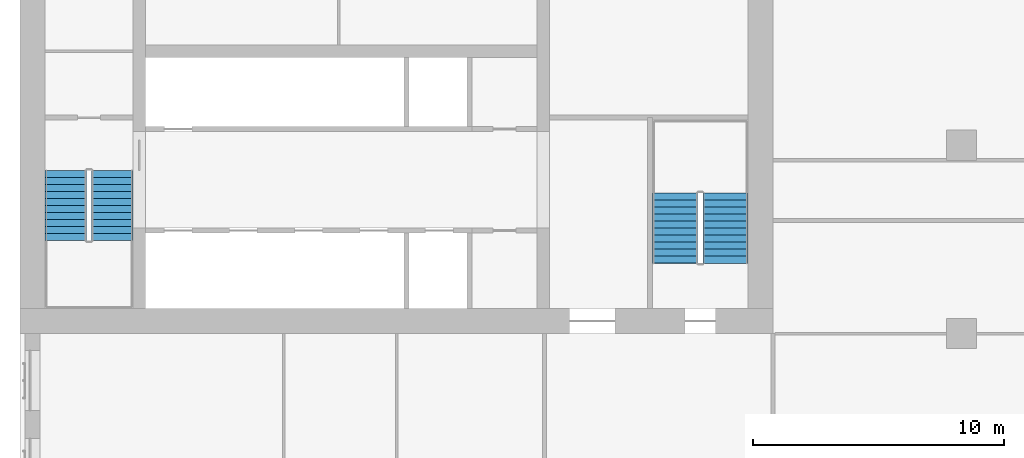
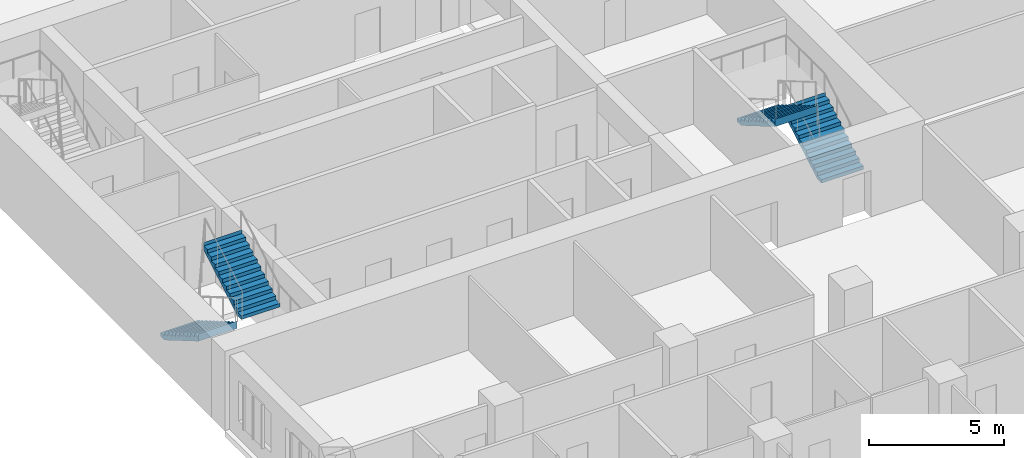
# One storey, part 12 of 14: 4 stair flights, 2 elements without a shape of their own.
"""IFC4 building model written with IfcOpenShell, lengths in metres."""

import ifcopenshell
import ifcopenshell.guid

model = None  # the IFC model being written
_history = None  # IfcOwnerHistory: only IFC2X3 demands one
_inside = {}  # id of a spatial element -> (the spatial element, [elements in it])
_under = {}  # id of a project, library or spatial element -> (it, [spatial elements below it])
_declared = {}  # id of a project -> (the project, [libraries it declares])
_typed = {}  # id of a type object -> (the type object, [elements of that type])
_made_of = {}  # id of a material, layer set ... -> (it, [elements and type objects made of it])


def new_model(schema):
    """Start an empty IFC model of exactly this schema.

    Asked for "IFC4X3", IfcOpenShell would pick the latest addendum, in which some entities
    have other attributes; the version numbers below select the first issue.
    IFC2X3 requires an IfcOwnerHistory on every rooted entity: one is made here for all.
    """
    global model, _history
    if schema == "IFC4X3":
        model = ifcopenshell.file(schema_version=(4, 3, 0, 0))
    else:
        model = ifcopenshell.file(schema=schema)
    _inside.clear()
    _under.clear()
    _declared.clear()
    _typed.clear()
    _made_of.clear()
    _history = None
    if model.schema == "IFC2X3":
        org = make("IfcOrganization", Name="unknown")
        user = make(
            "IfcPersonAndOrganization",
            ThePerson=make("IfcPerson", FamilyName="unknown"),
            TheOrganization=org,
        )
        app = make(
            "IfcApplication",
            ApplicationDeveloper=org,
            Version="unknown",
            ApplicationFullName="unknown",
            ApplicationIdentifier="unknown",
        )
        _history = make(
            "IfcOwnerHistory",
            OwningUser=user,
            OwningApplication=app,
            ChangeAction="ADDED",
            CreationDate=0,
        )
    return model


def make(cls, **values):
    """One entity of the class cls with the attributes given. An attribute that is None is left unset."""
    return model.create_entity(
        cls, **{name: value for name, value in values.items() if value is not None}
    )


def rooted(cls, **values):
    """An entity with a GlobalId (a new one), such as an element, a storey or a relation."""
    return make(cls, GlobalId=ifcopenshell.guid.new(), OwnerHistory=_history, **values)


def si_unit(unit_type, name, prefix=None):
    """IfcSIUnit, for example si_unit("LENGTHUNIT", "METRE", prefix="MILLI")."""
    return make("IfcSIUnit", UnitType=unit_type, Prefix=prefix, Name=name)


def assignment(units):
    """IfcUnitAssignment: the units of a project."""
    return None if units is None else make("IfcUnitAssignment", Units=units)


def point(xyz):
    """IfcCartesianPoint."""
    return None if xyz is None else make("IfcCartesianPoint", Coordinates=xyz)


def direction(xyz):
    """IfcDirection."""
    return None if xyz is None else make("IfcDirection", DirectionRatios=xyz)


def frame(location, z_axis=None, x_axis=None):
    """IfcAxis2Placement3D, a coordinate frame: its origin and axes. An axis left out is left unset."""
    return make(
        "IfcAxis2Placement3D",
        Location=point(location),
        Axis=direction(z_axis),
        RefDirection=direction(x_axis),
    )


def origin():
    """The frame at (0, 0, 0) with its axes left unset."""
    return frame((0.0, 0.0, 0.0))


def place(relative_to, where):
    """IfcLocalPlacement: puts the frame where relative to a parent placement (None: the world)."""
    return make(
        "IfcLocalPlacement", PlacementRelTo=relative_to, RelativePlacement=where
    )


def context(
    kind, dimensions, precision=None, world=None, true_north=None, identifier=None
):
    """IfcGeometricRepresentationContext, for example the 3D "Model" context."""
    return make(
        "IfcGeometricRepresentationContext",
        ContextIdentifier=identifier,
        ContextType=kind,
        CoordinateSpaceDimension=dimensions,
        Precision=precision,
        WorldCoordinateSystem=world,
        TrueNorth=true_north,
    )


def subcontext(parent, identifier, kind, view, scale=None):
    """IfcGeometricRepresentationSubContext, for example "Body" below "Model"."""
    return make(
        "IfcGeometricRepresentationSubContext",
        ContextIdentifier=identifier,
        ContextType=kind,
        ParentContext=parent,
        TargetScale=scale,
        TargetView=view,
    )


def project(units=None, contexts=None):
    """IfcProject with its units and contexts."""
    return rooted(
        "IfcProject",
        Name="project",
        RepresentationContexts=contexts,
        UnitsInContext=assignment(units),
    )


def spatial(cls, under=None, at=None, **own):
    """A site, building, storey or space (cls), placed at a placement, below another one or the project."""
    s = rooted(cls, ObjectPlacement=at, **own)
    if under is not None:
        _under.setdefault(under.id(), (under, []))[1].append(s)
    return s


def polyline(points):
    """IfcPolyline through the points."""
    return make("IfcPolyline", Points=[point(p) for p in points])


def outline(outer, holes=None, kind="AREA"):
    """IfcArbitraryClosedProfileDef: a profile drawn as a closed curve; with holes, ...WithVoids."""
    if holes is None:
        return make("IfcArbitraryClosedProfileDef", ProfileType=kind, OuterCurve=outer)
    return make(
        "IfcArbitraryProfileDefWithVoids",
        ProfileType=kind,
        OuterCurve=outer,
        InnerCurves=holes,
    )


def extrude(swept, where, along, depth):
    """IfcExtrudedAreaSolid: the profile swept, set in the frame where, extruded along a direction by depth."""
    return make(
        "IfcExtrudedAreaSolid",
        SweptArea=swept,
        Position=where,
        ExtrudedDirection=direction(along),
        Depth=depth,
    )


def shape(context_of_items, identifier, shape_type, items):
    """IfcShapeRepresentation: the items that make up one representation, for example the "Body"."""
    return make(
        "IfcShapeRepresentation",
        ContextOfItems=context_of_items,
        RepresentationIdentifier=identifier,
        RepresentationType=shape_type,
        Items=items,
    )


def material(Name=None, Category=None):
    """IfcMaterial."""
    return make("IfcMaterial", Name=Name, Category=Category)


def made_of(thing, what):
    """Note that an element or type object is made of a material, layer set ...; save() writes the relation."""
    if what is not None:
        _made_of.setdefault(what.id(), (what, []))[1].append(thing)
    return thing


def type_object(cls, material=None, **own):
    """A type object (cls), such as IfcWallType, which elements share."""
    return made_of(rooted(cls, **own), material)


def element(
    cls,
    number,
    at=None,
    inside=None,
    cuts=None,
    type_object=None,
    material=None,
    context=None,
    identifier="Body",
    shape_type=None,
    held_by="IfcProductDefinitionShape",
    body=None,
    shapes=None,
    **own,
):
    """One element of the class cls, such as IfcWall. Its Tag is "e" and its number.

    at: its placement. inside: the storey or other place that contains it. cuts: it is an
    opening in that element (IfcRelVoidsElement). A single representation is given by context,
    identifier, shape_type and body (its items); several are given by shapes. held_by: the class
    of the entity that holds the representations. save() writes the other relations.
    """
    e = rooted(cls, Tag="e%d" % number, ObjectPlacement=at, **own)
    if body is not None:
        shapes = [shape(context, identifier, shape_type, body)]
    if shapes is not None:
        e.Representation = make(held_by, Representations=shapes)
    if inside is not None:
        _inside.setdefault(inside.id(), (inside, []))[1].append(e)
    if cuts is not None:
        rooted(
            "IfcRelVoidsElement", RelatingBuildingElement=cuts, RelatedOpeningElement=e
        )
    if type_object is not None:
        _typed.setdefault(type_object.id(), (type_object, []))[1].append(e)
    return made_of(e, material)


def aggregate(whole, parts):
    """IfcRelAggregates: a whole, such as a stair, and the parts it consists of."""
    return rooted("IfcRelAggregates", RelatingObject=whole, RelatedObjects=parts)


def save(model, path):
    """Write the relations noted so far, then the file.

    IfcRelAggregates (storeys below a building ...), IfcRelContainedInSpatialStructure (elements
    in a storey), IfcRelDefinesByType, IfcRelAssociatesMaterial and IfcRelDeclares: one each for
    every whole, place, type object, material and project.
    """
    for whole, parts in _under.values():
        aggregate(whole, parts)
    for where, things in _inside.values():
        rooted(
            "IfcRelContainedInSpatialStructure",
            RelatedElements=things,
            RelatingStructure=where,
        )
    for kind, things in _typed.values():
        rooted("IfcRelDefinesByType", RelatedObjects=things, RelatingType=kind)
    for what, things in _made_of.values():
        rooted("IfcRelAssociatesMaterial", RelatedObjects=things, RelatingMaterial=what)
    for by, libraries in _declared.values():
        rooted("IfcRelDeclares", RelatingContext=by, RelatedDefinitions=libraries)
    model.write(path)


model = new_model("IFC4")

# Units and contexts
model_context = context("Model", 3, precision=1e-05, world=origin(), true_north=direction((0.0, 1.0)))
body_context = subcontext(model_context, "Body", "Model", "MODEL_VIEW")
ifc_project = project(units=[si_unit("LENGTHUNIT", "METRE"), si_unit("AREAUNIT", "SQUARE_METRE"), si_unit("VOLUMEUNIT", "CUBIC_METRE"), si_unit("PLANEANGLEUNIT", "RADIAN"), si_unit("MASSUNIT", "GRAM", prefix="KILO")], contexts=[model_context])

# Site, building, storey
site_placement = place(None, origin())
site = spatial("IfcSite", under=ifc_project, at=site_placement, CompositionType="ELEMENT")
building_placement = place(site_placement, origin())
building = spatial("IfcBuilding", under=site, at=building_placement, Name="Tamorin Gate", CompositionType="ELEMENT")
storey_placement = place(building_placement, frame((0.0, 0.0, 41.199951171875)))
storey = spatial("IfcBuildingStorey", under=building, at=storey_placement, Name="L08", CompositionType="ELEMENT", Elevation=41.199951171875)

# Stair, stair flights
ifc_material = material(Name="Concrete C40/50", Category="concrete")
stair_type = type_object("IfcStairType", Name="Exit stair", PredefinedType="HALF_TURN_STAIR", material=ifc_material)
stair_1_placement = place(storey_placement, origin())
stair_1 = element("IfcStair", 1, at=stair_1_placement, inside=storey, type_object=stair_type, Name="L08 stair ST1", PredefinedType="HALF_TURN_STAIR")
stair_flight_type = type_object("IfcStairFlightType", Name="Exit stair flight", PredefinedType="STRAIGHT", material=ifc_material)
stair_flight_1_placement = place(storey_placement, frame((31.824951171875, 66.5, 0.0), z_axis=(0.0, 0.0, 1.0), x_axis=(0.0, -1.0, 0.0)))
stair_flight_1 = element("IfcStairFlight", 2, at=stair_flight_1_placement, type_object=stair_flight_type, Name="ST1 flight 1", NumberOfRisers=11, NumberOfTreads=10, PredefinedType="STRAIGHT", RiserHeight=0.163636364, TreadLength=0.28, context=body_context, shape_type="SweptSolid", body=[
    extrude(outline(polyline([(-0.00048828125, 0.0), (-0.00048828125, 0.001708984375), (-0.00048828125, 0.003173828125), (-0.00048828125, 0.0048828125), (-0.00048828125, 0.006591796875), (-0.00048828125, 0.008056640625), (-0.00048828125, 0.009765625), (-0.00048828125, 0.01123046875), (-0.00048828125, 0.012939453125), (-0.00048828125, 0.0146484375), (-0.00048828125, 0.01611328125), (-0.00048828125, 0.017822265625), (-0.00048828125, 0.01953125), (-0.00048828125, 0.02099609375), (-0.00048828125, 0.022705078125), (-0.00048828125, 0.0244140625), (-0.00048828125, 0.02587890625), (-0.00048828125, 0.027587890625), (-0.00048828125, 0.029052734375), (-0.00048828125, 0.03076171875), (-0.00048828125, 0.032470703125), (-0.00048828125, 0.033935546875), (-0.00048828125, 0.03564453125), (-0.00048828125, 0.037353515625), (-0.00048828125, 0.038818359375), (-0.00048828125, 0.04052734375), (-0.00048828125, 0.042236328125), (-0.00048828125, 0.043701171875), (-0.00048828125, 0.04541015625), (-0.00048828125, 0.046875), (-0.00048828125, 0.048583984375), (-0.00048828125, 0.05029296875), (-0.00048828125, 0.0517578125), (-0.00048828125, 0.053466796875), (-0.00048828125, 0.05517578125), (-0.00048828125, 0.056640625), (-0.00048828125, 0.058349609375), (-0.00048828125, 0.06005859375), (-0.00048828125, 0.0615234375), (-0.00048828125, 0.063232421875), (-0.00048828125, 0.064697265625), (-0.00048828125, 0.06640625), (-0.00048828125, 0.068115234375), (-0.00048828125, 0.069580078125), (-0.00048828125, 0.0712890625), (-0.00048828125, 0.072998046875), (-0.00048828125, 0.074462890625), (-0.00048828125, 0.076171875), (-0.00048828125, 0.077880859375), (-0.00048828125, 0.079345703125), (-0.00048828125, 0.0810546875), (-0.00048828125, 0.08251953125), (-0.00048828125, 0.084228515625), (-0.00048828125, 0.0859375), (-0.00048828125, 0.08740234375), (-0.00048828125, 0.089111328125), (-0.00048828125, 0.0908203125), (-0.00048828125, 0.09228515625), (-0.00048828125, 0.093994140625), (-0.00048828125, 0.095703125), (-0.00048828125, 0.09716796875), (-0.00048828125, 0.098876953125), (-0.00048828125, 0.100341796875), (-0.00048828125, 0.10205078125), (-0.00048828125, 0.103759765625), (-0.00048828125, 0.105224609375), (-0.00048828125, 0.10693359375), (-0.00048828125, 0.108642578125), (-0.00048828125, 0.110107421875), (-0.00048828125, 0.11181640625), (-0.00048828125, 0.113525390625), (-0.00048828125, 0.114990234375), (-0.00048828125, 0.11669921875), (-0.00048828125, 0.1181640625), (-0.00048828125, 0.119873046875), (-0.00048828125, 0.12158203125), (-0.00048828125, 0.123046875), (-0.00048828125, 0.124755859375), (-0.00048828125, 0.12646484375), (-0.00048828125, 0.1279296875), (-0.00048828125, 0.129638671875), (-0.00048828125, 0.13134765625), (-0.00048828125, 0.1328125), (-0.00048828125, 0.134521484375), (-0.00048828125, 0.135986328125), (-0.00048828125, 0.1376953125), (-0.00048828125, 0.139404296875), (-0.00048828125, 0.140869140625), (-0.00048828125, 0.142578125), (-0.00048828125, 0.144287109375), (-0.00048828125, 0.145751953125), (-0.00048828125, 0.1474609375), (-0.00048828125, 0.149169921875), (-0.00048828125, 0.150634765625), (-0.00048828125, 0.15234375), (-0.00048828125, 0.15380859375), (-0.00048828125, 0.155517578125), (-0.00048828125, 0.1572265625), (-0.00048828125, 0.15869140625), (-0.00048828125, 0.160400390625), (-0.00048828125, 0.162109375), (-0.00048828125, 0.16357421875), (0.280029296875, 0.16357421875), (0.280029296875, 0.327392578125), (0.56005859375, 0.327392578125), (0.56005859375, 0.490966796875), (0.840087890625, 0.490966796875), (0.840087890625, 0.654541015625), (1.1201171875, 0.654541015625), (1.1201171875, 0.818115234375), (1.39990234375, 0.818115234375), (1.39990234375, 0.98193359375), (1.679931640625, 0.98193359375), (1.679931640625, 1.1455078125), (1.9599609375, 1.1455078125), (1.9599609375, 1.30908203125), (2.239990234375, 1.30908203125), (2.239990234375, 1.47265625), (2.52001953125, 1.47265625), (2.52001953125, 1.636474609375), (2.800048828125, 1.636474609375), (2.800048828125, 1.800048828125), (2.800537109375, 1.800048828125), (2.800537109375, 1.796630859375), (2.800537109375, 1.793212890625), (2.800537109375, 1.7900390625), (2.800537109375, 1.78662109375), (2.800537109375, 1.783203125), (2.800537109375, 1.780029296875), (2.800537109375, 1.776611328125), (2.800537109375, 1.773193359375), (2.800537109375, 1.77001953125), (2.800537109375, 1.7666015625), (2.800537109375, 1.76318359375), (2.800537109375, 1.760009765625), (2.800537109375, 1.756591796875), (2.800537109375, 1.753173828125), (2.800537109375, 1.75), (2.800537109375, 1.74658203125), (2.800537109375, 1.7431640625), (2.800537109375, 1.739990234375), (2.800537109375, 1.736572265625), (2.800537109375, 1.733154296875), (2.800537109375, 1.72998046875), (2.800537109375, 1.7265625), (2.800537109375, 1.72314453125), (2.800537109375, 1.719970703125), (2.800537109375, 1.716552734375), (2.800537109375, 1.713134765625), (2.800537109375, 1.7099609375), (2.800537109375, 1.70654296875), (2.800537109375, 1.703125), (2.800537109375, 1.69970703125), (2.800537109375, 1.696533203125), (2.800537109375, 1.693115234375), (2.800537109375, 1.689697265625), (2.800537109375, 1.6865234375), (2.800537109375, 1.68310546875), (2.800537109375, 1.6796875), (2.800537109375, 1.676513671875), (2.800537109375, 1.673095703125), (2.800537109375, 1.669677734375), (2.800537109375, 1.66650390625), (2.800537109375, 1.6630859375), (2.800537109375, 1.65966796875), (2.800537109375, 1.656494140625), (2.800537109375, 1.653076171875), (2.800537109375, 1.649658203125), (2.800537109375, 1.646484375), (2.800537109375, 1.64306640625), (2.800537109375, 1.6396484375), (2.800537109375, 1.636474609375), (2.800537109375, 1.633056640625), (2.800537109375, 1.629638671875), (2.800537109375, 1.62646484375), (2.800537109375, 1.623046875), (2.800537109375, 1.61962890625), (2.800537109375, 1.616455078125), (2.800537109375, 1.613037109375), (2.800537109375, 1.609619140625), (2.800537109375, 1.6064453125), (2.800537109375, 1.60302734375), (2.800537109375, 1.599609375), (2.800537109375, 1.59619140625), (2.800537109375, 1.593017578125), (2.800537109375, 1.589599609375), (2.800537109375, 1.586181640625), (2.800537109375, 1.5830078125), (2.800537109375, 1.57958984375), (2.800537109375, 1.576171875), (2.800537109375, 1.572998046875), (2.800537109375, 1.569580078125), (2.800537109375, 1.566162109375), (2.800537109375, 1.56298828125), (2.800537109375, 1.5595703125), (2.800537109375, 1.55615234375), (2.800537109375, 1.552978515625), (2.800537109375, 1.549560546875), (2.800537109375, 1.546142578125), (2.800537109375, 1.54296875), (2.800537109375, 1.53955078125), (2.800537109375, 1.5361328125), (2.800537109375, 1.532958984375), (2.800537109375, 1.529541015625), (2.800537109375, 1.526123046875), (2.800537109375, 1.52294921875), (2.800537109375, 1.51953125), (2.800537109375, 1.51611328125), (2.800537109375, 1.512939453125), (2.800537109375, 1.509521484375), (2.800537109375, 1.506103515625), (2.800537109375, 1.5029296875), (2.800537109375, 1.49951171875), (2.800537109375, 1.49609375), (2.800537109375, 1.49267578125), (2.800537109375, 1.489501953125), (2.800537109375, 1.486083984375), (2.800537109375, 1.482666015625), (2.800537109375, 1.4794921875), (2.800537109375, 1.47607421875), (2.800537109375, 1.47265625), (2.800537109375, 1.469482421875), (2.800537109375, 1.466064453125), (2.800537109375, 1.462646484375), (2.800048828125, 1.462646484375), (0.297119140625, 0.0), (-0.00048828125, 0.0)])), frame((0.0, 0.824951171875, 0.0), z_axis=(0.0, -1.0, 0.0), x_axis=(1.0, 0.0, 0.0)), (0.0, 0.0, 1.0), 1.64990234375),
])
stair_flight_2_placement = place(storey_placement, frame((33.675048828125, 63.699951171875, 1.800048828125), z_axis=(0.0, 0.0, 1.0), x_axis=(0.0, 1.0, 0.0)))
stair_flight_2 = element("IfcStairFlight", 3, at=stair_flight_2_placement, type_object=stair_flight_type, Name="ST1 flight 2", NumberOfRisers=11, NumberOfTreads=10, PredefinedType="STRAIGHT", RiserHeight=0.163636364, TreadLength=0.28, context=body_context, shape_type="SweptSolid", body=[
    extrude(outline(polyline([(-0.00048828125, 0.0), (-0.00048828125, 0.001708984375), (-0.00048828125, 0.003173828125), (-0.00048828125, 0.0048828125), (-0.00048828125, 0.006591796875), (-0.00048828125, 0.008056640625), (-0.00048828125, 0.009765625), (-0.00048828125, 0.01123046875), (-0.00048828125, 0.012939453125), (-0.00048828125, 0.0146484375), (-0.00048828125, 0.01611328125), (-0.00048828125, 0.017822265625), (-0.00048828125, 0.01953125), (-0.00048828125, 0.02099609375), (-0.00048828125, 0.022705078125), (-0.00048828125, 0.0244140625), (-0.00048828125, 0.02587890625), (-0.00048828125, 0.027587890625), (-0.00048828125, 0.029052734375), (-0.00048828125, 0.03076171875), (-0.00048828125, 0.032470703125), (-0.00048828125, 0.033935546875), (-0.00048828125, 0.03564453125), (-0.00048828125, 0.037353515625), (-0.00048828125, 0.038818359375), (-0.00048828125, 0.04052734375), (-0.00048828125, 0.042236328125), (-0.00048828125, 0.043701171875), (-0.00048828125, 0.04541015625), (-0.00048828125, 0.046875), (-0.00048828125, 0.048583984375), (-0.00048828125, 0.05029296875), (-0.00048828125, 0.0517578125), (-0.00048828125, 0.053466796875), (-0.00048828125, 0.05517578125), (-0.00048828125, 0.056640625), (-0.00048828125, 0.058349609375), (-0.00048828125, 0.06005859375), (-0.00048828125, 0.0615234375), (-0.00048828125, 0.063232421875), (-0.00048828125, 0.064697265625), (-0.00048828125, 0.06640625), (-0.00048828125, 0.068115234375), (-0.00048828125, 0.069580078125), (-0.00048828125, 0.0712890625), (-0.00048828125, 0.072998046875), (-0.00048828125, 0.074462890625), (-0.00048828125, 0.076171875), (-0.00048828125, 0.077880859375), (-0.00048828125, 0.079345703125), (-0.00048828125, 0.0810546875), (-0.00048828125, 0.08251953125), (-0.00048828125, 0.084228515625), (-0.00048828125, 0.0859375), (-0.00048828125, 0.08740234375), (-0.00048828125, 0.089111328125), (-0.00048828125, 0.0908203125), (-0.00048828125, 0.09228515625), (-0.00048828125, 0.093994140625), (-0.00048828125, 0.095703125), (-0.00048828125, 0.09716796875), (-0.00048828125, 0.098876953125), (-0.00048828125, 0.100341796875), (-0.00048828125, 0.10205078125), (-0.00048828125, 0.103759765625), (-0.00048828125, 0.105224609375), (-0.00048828125, 0.10693359375), (-0.00048828125, 0.108642578125), (-0.00048828125, 0.110107421875), (-0.00048828125, 0.11181640625), (-0.00048828125, 0.113525390625), (-0.00048828125, 0.114990234375), (-0.00048828125, 0.11669921875), (-0.00048828125, 0.1181640625), (-0.00048828125, 0.119873046875), (-0.00048828125, 0.12158203125), (-0.00048828125, 0.123046875), (-0.00048828125, 0.124755859375), (-0.00048828125, 0.12646484375), (-0.00048828125, 0.1279296875), (-0.00048828125, 0.129638671875), (-0.00048828125, 0.13134765625), (-0.00048828125, 0.1328125), (-0.00048828125, 0.134521484375), (-0.00048828125, 0.135986328125), (-0.00048828125, 0.1376953125), (-0.00048828125, 0.139404296875), (-0.00048828125, 0.140869140625), (-0.00048828125, 0.142578125), (-0.00048828125, 0.144287109375), (-0.00048828125, 0.145751953125), (-0.00048828125, 0.1474609375), (-0.00048828125, 0.149169921875), (-0.00048828125, 0.150634765625), (-0.00048828125, 0.15234375), (-0.00048828125, 0.15380859375), (-0.00048828125, 0.155517578125), (-0.00048828125, 0.1572265625), (-0.00048828125, 0.15869140625), (-0.00048828125, 0.160400390625), (-0.00048828125, 0.162109375), (-0.00048828125, 0.16357421875), (0.280029296875, 0.16357421875), (0.280029296875, 0.327392578125), (0.56005859375, 0.327392578125), (0.56005859375, 0.490966796875), (0.840087890625, 0.490966796875), (0.840087890625, 0.654541015625), (1.1201171875, 0.654541015625), (1.1201171875, 0.818115234375), (1.39990234375, 0.818115234375), (1.39990234375, 0.98193359375), (1.679931640625, 0.98193359375), (1.679931640625, 1.1455078125), (1.9599609375, 1.1455078125), (1.9599609375, 1.30908203125), (2.239990234375, 1.30908203125), (2.239990234375, 1.47265625), (2.52001953125, 1.47265625), (2.52001953125, 1.636474609375), (2.800048828125, 1.636474609375), (2.800048828125, 1.800048828125), (2.800537109375, 1.800048828125), (2.800537109375, 1.796630859375), (2.800537109375, 1.793212890625), (2.800537109375, 1.7900390625), (2.800537109375, 1.78662109375), (2.800537109375, 1.783203125), (2.800537109375, 1.780029296875), (2.800537109375, 1.776611328125), (2.800537109375, 1.773193359375), (2.800537109375, 1.77001953125), (2.800537109375, 1.7666015625), (2.800537109375, 1.76318359375), (2.800537109375, 1.760009765625), (2.800537109375, 1.756591796875), (2.800537109375, 1.753173828125), (2.800537109375, 1.75), (2.800537109375, 1.74658203125), (2.800537109375, 1.7431640625), (2.800537109375, 1.739990234375), (2.800537109375, 1.736572265625), (2.800537109375, 1.733154296875), (2.800537109375, 1.72998046875), (2.800537109375, 1.7265625), (2.800537109375, 1.72314453125), (2.800537109375, 1.719970703125), (2.800537109375, 1.716552734375), (2.800537109375, 1.713134765625), (2.800537109375, 1.7099609375), (2.800537109375, 1.70654296875), (2.800537109375, 1.703125), (2.800537109375, 1.69970703125), (2.800537109375, 1.696533203125), (2.800537109375, 1.693115234375), (2.800537109375, 1.689697265625), (2.800537109375, 1.6865234375), (2.800537109375, 1.68310546875), (2.800537109375, 1.6796875), (2.800537109375, 1.676513671875), (2.800537109375, 1.673095703125), (2.800537109375, 1.669677734375), (2.800537109375, 1.66650390625), (2.800537109375, 1.6630859375), (2.800537109375, 1.65966796875), (2.800537109375, 1.656494140625), (2.800537109375, 1.653076171875), (2.800537109375, 1.649658203125), (2.800537109375, 1.646484375), (2.800537109375, 1.64306640625), (2.800537109375, 1.6396484375), (2.800537109375, 1.636474609375), (2.800537109375, 1.633056640625), (2.800537109375, 1.629638671875), (2.800537109375, 1.62646484375), (2.800537109375, 1.623046875), (2.800537109375, 1.61962890625), (2.800537109375, 1.616455078125), (2.800537109375, 1.613037109375), (2.800537109375, 1.609619140625), (2.800537109375, 1.6064453125), (2.800537109375, 1.60302734375), (2.800537109375, 1.599609375), (2.800537109375, 1.59619140625), (2.800537109375, 1.593017578125), (2.800537109375, 1.589599609375), (2.800537109375, 1.586181640625), (2.800537109375, 1.5830078125), (2.800537109375, 1.57958984375), (2.800537109375, 1.576171875), (2.800537109375, 1.572998046875), (2.800537109375, 1.569580078125), (2.800537109375, 1.566162109375), (2.800537109375, 1.56298828125), (2.800537109375, 1.5595703125), (2.800537109375, 1.55615234375), (2.800537109375, 1.552978515625), (2.800537109375, 1.549560546875), (2.800537109375, 1.546142578125), (2.800537109375, 1.54296875), (2.800537109375, 1.53955078125), (2.800537109375, 1.5361328125), (2.800537109375, 1.532958984375), (2.800537109375, 1.529541015625), (2.800537109375, 1.526123046875), (2.800537109375, 1.52294921875), (2.800537109375, 1.51953125), (2.800537109375, 1.51611328125), (2.800537109375, 1.512939453125), (2.800537109375, 1.509521484375), (2.800537109375, 1.506103515625), (2.800537109375, 1.5029296875), (2.800537109375, 1.49951171875), (2.800537109375, 1.49609375), (2.800537109375, 1.49267578125), (2.800537109375, 1.489501953125), (2.800537109375, 1.486083984375), (2.800537109375, 1.482666015625), (2.800537109375, 1.4794921875), (2.800537109375, 1.47607421875), (2.800537109375, 1.47265625), (2.800537109375, 1.469482421875), (2.800537109375, 1.466064453125), (2.800537109375, 1.462646484375), (2.800048828125, 1.462646484375), (0.297119140625, 0.0), (-0.00048828125, 0.0)])), frame((0.0, 0.824951171875, 0.0), z_axis=(0.0, -1.0, 0.0), x_axis=(1.0, 0.0, 0.0)), (0.0, 0.0, 1.0), 1.64990234375),
])
aggregate(stair_1, [stair_flight_1, stair_flight_2])

stair_2_placement = place(storey_placement, origin())
stair_2 = element("IfcStair", 4, at=stair_2_placement, inside=storey, type_object=stair_type, Name="L08 stair ST3", PredefinedType="HALF_TURN_STAIR")
stair_flight_3_placement = place(storey_placement, frame((58.10009765625, 62.800048828125, 0.0), z_axis=(0.0, 0.0, 1.0), x_axis=(0.0, 1.0, 0.0)))
stair_flight_3 = element("IfcStairFlight", 5, at=stair_flight_3_placement, type_object=stair_flight_type, Name="ST3 flight 1", NumberOfRisers=11, NumberOfTreads=10, PredefinedType="STRAIGHT", RiserHeight=0.163636364, TreadLength=0.28, context=body_context, shape_type="SweptSolid", body=[
    extrude(outline(polyline([(-0.00048828125, 0.0), (-0.00048828125, 0.001708984375), (-0.00048828125, 0.003173828125), (-0.00048828125, 0.0048828125), (-0.00048828125, 0.006591796875), (-0.00048828125, 0.008056640625), (-0.00048828125, 0.009765625), (-0.00048828125, 0.01123046875), (-0.00048828125, 0.012939453125), (-0.00048828125, 0.0146484375), (-0.00048828125, 0.01611328125), (-0.00048828125, 0.017822265625), (-0.00048828125, 0.01953125), (-0.00048828125, 0.02099609375), (-0.00048828125, 0.022705078125), (-0.00048828125, 0.0244140625), (-0.00048828125, 0.02587890625), (-0.00048828125, 0.027587890625), (-0.00048828125, 0.029052734375), (-0.00048828125, 0.03076171875), (-0.00048828125, 0.032470703125), (-0.00048828125, 0.033935546875), (-0.00048828125, 0.03564453125), (-0.00048828125, 0.037353515625), (-0.00048828125, 0.038818359375), (-0.00048828125, 0.04052734375), (-0.00048828125, 0.042236328125), (-0.00048828125, 0.043701171875), (-0.00048828125, 0.04541015625), (-0.00048828125, 0.046875), (-0.00048828125, 0.048583984375), (-0.00048828125, 0.05029296875), (-0.00048828125, 0.0517578125), (-0.00048828125, 0.053466796875), (-0.00048828125, 0.05517578125), (-0.00048828125, 0.056640625), (-0.00048828125, 0.058349609375), (-0.00048828125, 0.06005859375), (-0.00048828125, 0.0615234375), (-0.00048828125, 0.063232421875), (-0.00048828125, 0.064697265625), (-0.00048828125, 0.06640625), (-0.00048828125, 0.068115234375), (-0.00048828125, 0.069580078125), (-0.00048828125, 0.0712890625), (-0.00048828125, 0.072998046875), (-0.00048828125, 0.074462890625), (-0.00048828125, 0.076171875), (-0.00048828125, 0.077880859375), (-0.00048828125, 0.079345703125), (-0.00048828125, 0.0810546875), (-0.00048828125, 0.08251953125), (-0.00048828125, 0.084228515625), (-0.00048828125, 0.0859375), (-0.00048828125, 0.08740234375), (-0.00048828125, 0.089111328125), (-0.00048828125, 0.0908203125), (-0.00048828125, 0.09228515625), (-0.00048828125, 0.093994140625), (-0.00048828125, 0.095703125), (-0.00048828125, 0.09716796875), (-0.00048828125, 0.098876953125), (-0.00048828125, 0.100341796875), (-0.00048828125, 0.10205078125), (-0.00048828125, 0.103759765625), (-0.00048828125, 0.105224609375), (-0.00048828125, 0.10693359375), (-0.00048828125, 0.108642578125), (-0.00048828125, 0.110107421875), (-0.00048828125, 0.11181640625), (-0.00048828125, 0.113525390625), (-0.00048828125, 0.114990234375), (-0.00048828125, 0.11669921875), (-0.00048828125, 0.1181640625), (-0.00048828125, 0.119873046875), (-0.00048828125, 0.12158203125), (-0.00048828125, 0.123046875), (-0.00048828125, 0.124755859375), (-0.00048828125, 0.12646484375), (-0.00048828125, 0.1279296875), (-0.00048828125, 0.129638671875), (-0.00048828125, 0.13134765625), (-0.00048828125, 0.1328125), (-0.00048828125, 0.134521484375), (-0.00048828125, 0.135986328125), (-0.00048828125, 0.1376953125), (-0.00048828125, 0.139404296875), (-0.00048828125, 0.140869140625), (-0.00048828125, 0.142578125), (-0.00048828125, 0.144287109375), (-0.00048828125, 0.145751953125), (-0.00048828125, 0.1474609375), (-0.00048828125, 0.149169921875), (-0.00048828125, 0.150634765625), (-0.00048828125, 0.15234375), (-0.00048828125, 0.15380859375), (-0.00048828125, 0.155517578125), (-0.00048828125, 0.1572265625), (-0.00048828125, 0.15869140625), (-0.00048828125, 0.160400390625), (-0.00048828125, 0.162109375), (-0.00048828125, 0.16357421875), (0.280029296875, 0.16357421875), (0.280029296875, 0.327392578125), (0.56005859375, 0.327392578125), (0.56005859375, 0.490966796875), (0.840087890625, 0.490966796875), (0.840087890625, 0.654541015625), (1.1201171875, 0.654541015625), (1.1201171875, 0.818115234375), (1.39990234375, 0.818115234375), (1.39990234375, 0.98193359375), (1.679931640625, 0.98193359375), (1.679931640625, 1.1455078125), (1.9599609375, 1.1455078125), (1.9599609375, 1.30908203125), (2.239990234375, 1.30908203125), (2.239990234375, 1.47265625), (2.52001953125, 1.47265625), (2.52001953125, 1.636474609375), (2.800048828125, 1.636474609375), (2.800048828125, 1.800048828125), (2.800537109375, 1.800048828125), (2.800537109375, 1.796630859375), (2.800537109375, 1.793212890625), (2.800537109375, 1.7900390625), (2.800537109375, 1.78662109375), (2.800537109375, 1.783203125), (2.800537109375, 1.780029296875), (2.800537109375, 1.776611328125), (2.800537109375, 1.773193359375), (2.800537109375, 1.77001953125), (2.800537109375, 1.7666015625), (2.800537109375, 1.76318359375), (2.800537109375, 1.760009765625), (2.800537109375, 1.756591796875), (2.800537109375, 1.753173828125), (2.800537109375, 1.75), (2.800537109375, 1.74658203125), (2.800537109375, 1.7431640625), (2.800537109375, 1.739990234375), (2.800537109375, 1.736572265625), (2.800537109375, 1.733154296875), (2.800537109375, 1.72998046875), (2.800537109375, 1.7265625), (2.800537109375, 1.72314453125), (2.800537109375, 1.719970703125), (2.800537109375, 1.716552734375), (2.800537109375, 1.713134765625), (2.800537109375, 1.7099609375), (2.800537109375, 1.70654296875), (2.800537109375, 1.703125), (2.800537109375, 1.69970703125), (2.800537109375, 1.696533203125), (2.800537109375, 1.693115234375), (2.800537109375, 1.689697265625), (2.800537109375, 1.6865234375), (2.800537109375, 1.68310546875), (2.800537109375, 1.6796875), (2.800537109375, 1.676513671875), (2.800537109375, 1.673095703125), (2.800537109375, 1.669677734375), (2.800537109375, 1.66650390625), (2.800537109375, 1.6630859375), (2.800537109375, 1.65966796875), (2.800537109375, 1.656494140625), (2.800537109375, 1.653076171875), (2.800537109375, 1.649658203125), (2.800537109375, 1.646484375), (2.800537109375, 1.64306640625), (2.800537109375, 1.6396484375), (2.800537109375, 1.636474609375), (2.800537109375, 1.633056640625), (2.800537109375, 1.629638671875), (2.800537109375, 1.62646484375), (2.800537109375, 1.623046875), (2.800537109375, 1.61962890625), (2.800537109375, 1.616455078125), (2.800537109375, 1.613037109375), (2.800537109375, 1.609619140625), (2.800537109375, 1.6064453125), (2.800537109375, 1.60302734375), (2.800537109375, 1.599609375), (2.800537109375, 1.59619140625), (2.800537109375, 1.593017578125), (2.800537109375, 1.589599609375), (2.800537109375, 1.586181640625), (2.800537109375, 1.5830078125), (2.800537109375, 1.57958984375), (2.800537109375, 1.576171875), (2.800537109375, 1.572998046875), (2.800537109375, 1.569580078125), (2.800537109375, 1.566162109375), (2.800537109375, 1.56298828125), (2.800537109375, 1.5595703125), (2.800537109375, 1.55615234375), (2.800537109375, 1.552978515625), (2.800537109375, 1.549560546875), (2.800537109375, 1.546142578125), (2.800537109375, 1.54296875), (2.800537109375, 1.53955078125), (2.800537109375, 1.5361328125), (2.800537109375, 1.532958984375), (2.800537109375, 1.529541015625), (2.800537109375, 1.526123046875), (2.800537109375, 1.52294921875), (2.800537109375, 1.51953125), (2.800537109375, 1.51611328125), (2.800537109375, 1.512939453125), (2.800537109375, 1.509521484375), (2.800537109375, 1.506103515625), (2.800537109375, 1.5029296875), (2.800537109375, 1.49951171875), (2.800537109375, 1.49609375), (2.800537109375, 1.49267578125), (2.800537109375, 1.489501953125), (2.800537109375, 1.486083984375), (2.800537109375, 1.482666015625), (2.800537109375, 1.4794921875), (2.800537109375, 1.47607421875), (2.800537109375, 1.47265625), (2.800537109375, 1.469482421875), (2.800537109375, 1.466064453125), (2.800537109375, 1.462646484375), (2.800048828125, 1.462646484375), (0.297119140625, 0.0), (-0.00048828125, 0.0)])), frame((0.0, 0.89990234375, 0.0), z_axis=(0.0, -1.0, 0.0), x_axis=(1.0, 0.0, 0.0)), (0.0, 0.0, 1.0), 1.800048828125),
])
stair_flight_4_placement = place(storey_placement, frame((56.10009765625, 65.60009765625, 1.800048828125), z_axis=(0.0, 0.0, 1.0), x_axis=(0.0, -1.0, 0.0)))
stair_flight_4 = element("IfcStairFlight", 6, at=stair_flight_4_placement, type_object=stair_flight_type, Name="ST3 flight 2", NumberOfRisers=11, NumberOfTreads=10, PredefinedType="STRAIGHT", RiserHeight=0.163636364, TreadLength=0.28, context=body_context, shape_type="SweptSolid", body=[
    extrude(outline(polyline([(-0.00048828125, 0.0), (-0.00048828125, 0.001708984375), (-0.00048828125, 0.003173828125), (-0.00048828125, 0.0048828125), (-0.00048828125, 0.006591796875), (-0.00048828125, 0.008056640625), (-0.00048828125, 0.009765625), (-0.00048828125, 0.01123046875), (-0.00048828125, 0.012939453125), (-0.00048828125, 0.0146484375), (-0.00048828125, 0.01611328125), (-0.00048828125, 0.017822265625), (-0.00048828125, 0.01953125), (-0.00048828125, 0.02099609375), (-0.00048828125, 0.022705078125), (-0.00048828125, 0.0244140625), (-0.00048828125, 0.02587890625), (-0.00048828125, 0.027587890625), (-0.00048828125, 0.029052734375), (-0.00048828125, 0.03076171875), (-0.00048828125, 0.032470703125), (-0.00048828125, 0.033935546875), (-0.00048828125, 0.03564453125), (-0.00048828125, 0.037353515625), (-0.00048828125, 0.038818359375), (-0.00048828125, 0.04052734375), (-0.00048828125, 0.042236328125), (-0.00048828125, 0.043701171875), (-0.00048828125, 0.04541015625), (-0.00048828125, 0.046875), (-0.00048828125, 0.048583984375), (-0.00048828125, 0.05029296875), (-0.00048828125, 0.0517578125), (-0.00048828125, 0.053466796875), (-0.00048828125, 0.05517578125), (-0.00048828125, 0.056640625), (-0.00048828125, 0.058349609375), (-0.00048828125, 0.06005859375), (-0.00048828125, 0.0615234375), (-0.00048828125, 0.063232421875), (-0.00048828125, 0.064697265625), (-0.00048828125, 0.06640625), (-0.00048828125, 0.068115234375), (-0.00048828125, 0.069580078125), (-0.00048828125, 0.0712890625), (-0.00048828125, 0.072998046875), (-0.00048828125, 0.074462890625), (-0.00048828125, 0.076171875), (-0.00048828125, 0.077880859375), (-0.00048828125, 0.079345703125), (-0.00048828125, 0.0810546875), (-0.00048828125, 0.08251953125), (-0.00048828125, 0.084228515625), (-0.00048828125, 0.0859375), (-0.00048828125, 0.08740234375), (-0.00048828125, 0.089111328125), (-0.00048828125, 0.0908203125), (-0.00048828125, 0.09228515625), (-0.00048828125, 0.093994140625), (-0.00048828125, 0.095703125), (-0.00048828125, 0.09716796875), (-0.00048828125, 0.098876953125), (-0.00048828125, 0.100341796875), (-0.00048828125, 0.10205078125), (-0.00048828125, 0.103759765625), (-0.00048828125, 0.105224609375), (-0.00048828125, 0.10693359375), (-0.00048828125, 0.108642578125), (-0.00048828125, 0.110107421875), (-0.00048828125, 0.11181640625), (-0.00048828125, 0.113525390625), (-0.00048828125, 0.114990234375), (-0.00048828125, 0.11669921875), (-0.00048828125, 0.1181640625), (-0.00048828125, 0.119873046875), (-0.00048828125, 0.12158203125), (-0.00048828125, 0.123046875), (-0.00048828125, 0.124755859375), (-0.00048828125, 0.12646484375), (-0.00048828125, 0.1279296875), (-0.00048828125, 0.129638671875), (-0.00048828125, 0.13134765625), (-0.00048828125, 0.1328125), (-0.00048828125, 0.134521484375), (-0.00048828125, 0.135986328125), (-0.00048828125, 0.1376953125), (-0.00048828125, 0.139404296875), (-0.00048828125, 0.140869140625), (-0.00048828125, 0.142578125), (-0.00048828125, 0.144287109375), (-0.00048828125, 0.145751953125), (-0.00048828125, 0.1474609375), (-0.00048828125, 0.149169921875), (-0.00048828125, 0.150634765625), (-0.00048828125, 0.15234375), (-0.00048828125, 0.15380859375), (-0.00048828125, 0.155517578125), (-0.00048828125, 0.1572265625), (-0.00048828125, 0.15869140625), (-0.00048828125, 0.160400390625), (-0.00048828125, 0.162109375), (-0.00048828125, 0.16357421875), (0.280029296875, 0.16357421875), (0.280029296875, 0.327392578125), (0.56005859375, 0.327392578125), (0.56005859375, 0.490966796875), (0.840087890625, 0.490966796875), (0.840087890625, 0.654541015625), (1.1201171875, 0.654541015625), (1.1201171875, 0.818115234375), (1.39990234375, 0.818115234375), (1.39990234375, 0.98193359375), (1.679931640625, 0.98193359375), (1.679931640625, 1.1455078125), (1.9599609375, 1.1455078125), (1.9599609375, 1.30908203125), (2.239990234375, 1.30908203125), (2.239990234375, 1.47265625), (2.52001953125, 1.47265625), (2.52001953125, 1.636474609375), (2.800048828125, 1.636474609375), (2.800048828125, 1.800048828125), (2.800537109375, 1.800048828125), (2.800537109375, 1.796630859375), (2.800537109375, 1.793212890625), (2.800537109375, 1.7900390625), (2.800537109375, 1.78662109375), (2.800537109375, 1.783203125), (2.800537109375, 1.780029296875), (2.800537109375, 1.776611328125), (2.800537109375, 1.773193359375), (2.800537109375, 1.77001953125), (2.800537109375, 1.7666015625), (2.800537109375, 1.76318359375), (2.800537109375, 1.760009765625), (2.800537109375, 1.756591796875), (2.800537109375, 1.753173828125), (2.800537109375, 1.75), (2.800537109375, 1.74658203125), (2.800537109375, 1.7431640625), (2.800537109375, 1.739990234375), (2.800537109375, 1.736572265625), (2.800537109375, 1.733154296875), (2.800537109375, 1.72998046875), (2.800537109375, 1.7265625), (2.800537109375, 1.72314453125), (2.800537109375, 1.719970703125), (2.800537109375, 1.716552734375), (2.800537109375, 1.713134765625), (2.800537109375, 1.7099609375), (2.800537109375, 1.70654296875), (2.800537109375, 1.703125), (2.800537109375, 1.69970703125), (2.800537109375, 1.696533203125), (2.800537109375, 1.693115234375), (2.800537109375, 1.689697265625), (2.800537109375, 1.6865234375), (2.800537109375, 1.68310546875), (2.800537109375, 1.6796875), (2.800537109375, 1.676513671875), (2.800537109375, 1.673095703125), (2.800537109375, 1.669677734375), (2.800537109375, 1.66650390625), (2.800537109375, 1.6630859375), (2.800537109375, 1.65966796875), (2.800537109375, 1.656494140625), (2.800537109375, 1.653076171875), (2.800537109375, 1.649658203125), (2.800537109375, 1.646484375), (2.800537109375, 1.64306640625), (2.800537109375, 1.6396484375), (2.800537109375, 1.636474609375), (2.800537109375, 1.633056640625), (2.800537109375, 1.629638671875), (2.800537109375, 1.62646484375), (2.800537109375, 1.623046875), (2.800537109375, 1.61962890625), (2.800537109375, 1.616455078125), (2.800537109375, 1.613037109375), (2.800537109375, 1.609619140625), (2.800537109375, 1.6064453125), (2.800537109375, 1.60302734375), (2.800537109375, 1.599609375), (2.800537109375, 1.59619140625), (2.800537109375, 1.593017578125), (2.800537109375, 1.589599609375), (2.800537109375, 1.586181640625), (2.800537109375, 1.5830078125), (2.800537109375, 1.57958984375), (2.800537109375, 1.576171875), (2.800537109375, 1.572998046875), (2.800537109375, 1.569580078125), (2.800537109375, 1.566162109375), (2.800537109375, 1.56298828125), (2.800537109375, 1.5595703125), (2.800537109375, 1.55615234375), (2.800537109375, 1.552978515625), (2.800537109375, 1.549560546875), (2.800537109375, 1.546142578125), (2.800537109375, 1.54296875), (2.800537109375, 1.53955078125), (2.800537109375, 1.5361328125), (2.800537109375, 1.532958984375), (2.800537109375, 1.529541015625), (2.800537109375, 1.526123046875), (2.800537109375, 1.52294921875), (2.800537109375, 1.51953125), (2.800537109375, 1.51611328125), (2.800537109375, 1.512939453125), (2.800537109375, 1.509521484375), (2.800537109375, 1.506103515625), (2.800537109375, 1.5029296875), (2.800537109375, 1.49951171875), (2.800537109375, 1.49609375), (2.800537109375, 1.49267578125), (2.800537109375, 1.489501953125), (2.800537109375, 1.486083984375), (2.800537109375, 1.482666015625), (2.800537109375, 1.4794921875), (2.800537109375, 1.47607421875), (2.800537109375, 1.47265625), (2.800537109375, 1.469482421875), (2.800537109375, 1.466064453125), (2.800537109375, 1.462646484375), (2.800048828125, 1.462646484375), (0.297119140625, 0.0), (-0.00048828125, 0.0)])), frame((0.0, 0.89990234375, 0.0), z_axis=(0.0, -1.0, 0.0), x_axis=(1.0, 0.0, 0.0)), (0.0, 0.0, 1.0), 1.800048828125),
])
aggregate(stair_2, [stair_flight_3, stair_flight_4])

save(model, "model.ifc")
